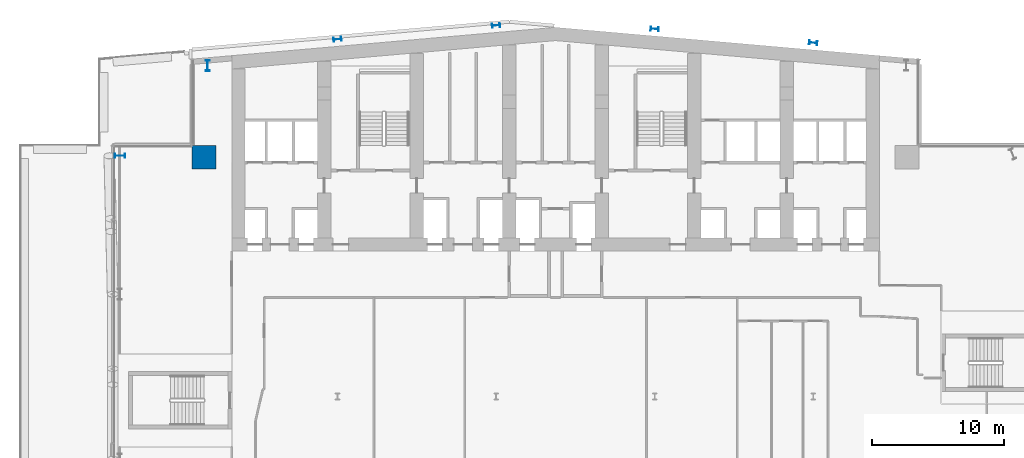
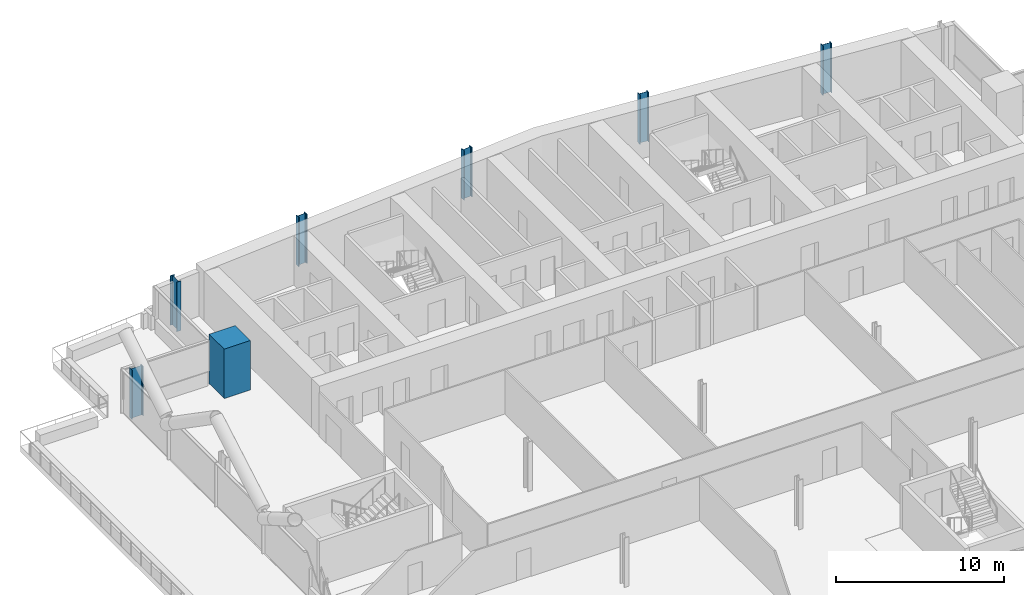
# One storey, part 2 of 26: 7 columns.
"""IFC4 building model written with IfcOpenShell, lengths in metres."""

from ifc_helpers import new_model, si_unit, direction, frame, origin, origin_2d, place, context, subcontext, project, spatial, rectangle, i_section, extrude, material, material_profile, profile_set, type_object, element, save


model = new_model("IFC4")

# Units and contexts
model_context = context("Model", 3, precision=1e-05, world=origin(), true_north=direction((0.0, 1.0)))
body_context = subcontext(model_context, "Body", "Model", "MODEL_VIEW")
ifc_project = project(units=[si_unit("LENGTHUNIT", "METRE"), si_unit("AREAUNIT", "SQUARE_METRE"), si_unit("VOLUMEUNIT", "CUBIC_METRE"), si_unit("PLANEANGLEUNIT", "RADIAN"), si_unit("MASSUNIT", "GRAM", prefix="KILO")], contexts=[model_context])

# Site, building, storey
site_placement = place(None, origin())
site = spatial("IfcSite", under=ifc_project, at=site_placement, CompositionType="ELEMENT")
building_placement = place(site_placement, origin())
building = spatial("IfcBuilding", under=site, at=building_placement, Name="Wharfspan Tower", CompositionType="ELEMENT")
storey_placement = place(building_placement, frame((0.0, 0.0, 96.699951)))
storey = spatial("IfcBuildingStorey", under=building, at=storey_placement, Name="L21", CompositionType="ELEMENT", Elevation=96.699951)

# Columns
ifc_material_1 = material(Name="Steel S355J2", Category="steel")
ifc_material_profile_1 = material_profile(ifc_material_1, i_section(OverallWidth=0.304932, OverallDepth=0.620117, WebThickness=0.020996, FlangeThickness=0.040039, FilletRadius=0.0271, at=origin_2d()))
ifc_profile_set_1 = profile_set([ifc_material_profile_1], Name="Steel S355J2")
column_type_1 = type_object("IfcColumnType", Name="Column HEM 600", PredefinedType="COLUMN", material=ifc_profile_set_1)
for number, where, z_axis, x_axis, name in (
    (1, (24.0, 50.027344, 0.0), (0.0, 0.0, 1.0), (-0.087156, 0.996198, 0.0), "Rear column R.1 L21"),
    (2, (36.0, 51.077148, 0.0), (0.0, 0.0, 1.0), (-0.087156, 0.996198, 0.0), "Rear column R.2 L21"),
    (3, (48.0, 50.814697, 0.0), (0.0, 0.0, 1.0), (0.087156, 0.996198, 0.0), "Rear column R.3 L21"),
    (4, (60.0, 49.764893, 0.0), (0.0, 0.0, 1.0), (0.087156, 0.996198, 0.0), "Rear column R.4 L21"),
):
    element("IfcColumn", number, at=place(storey_placement, frame(where, z_axis=z_axis, x_axis=x_axis)), inside=storey, type_object=column_type_1, Name=name, PredefinedType="COLUMN", context=body_context, shape_type="SweptSolid", body=[
        extrude(i_section(OverallWidth=0.304932, OverallDepth=0.620117, WebThickness=0.020996, FlangeThickness=0.040039, FilletRadius=0.0271, at=origin_2d()), origin(), (0.0, 0.0, 1.0), 3.600098),
    ])
ifc_material_profile_2 = material_profile(ifc_material_1, i_section(OverallWidth=0.302979, OverallDepth=0.813965, WebThickness=0.020996, FlangeThickness=0.040039, FilletRadius=0.030029, at=origin_2d()))
ifc_profile_set_2 = profile_set([ifc_material_profile_2], Name="Steel S355J2")
column_type_2 = type_object("IfcColumnType", Name="Column HEM 800", PredefinedType="COLUMN", material=ifc_profile_set_2)
for number, where, z_axis, x_axis, name in (
    (5, (14.171631, 48.03418, 0.0), (0.0, 0.0, 1.0), (-1.0, 0.0, 0.0), "Perimeter column PNRW-V.1 L21"),
    (6, (7.544434, 41.208008, 0.0), (0.0, 0.0, 1.0), (0.0, 1.0, 0.0), "Perimeter column PNRW-H.1 L21"),
):
    element("IfcColumn", number, at=place(storey_placement, frame(where, z_axis=z_axis, x_axis=x_axis)), inside=storey, type_object=column_type_2, Name=name, PredefinedType="COLUMN", context=body_context, shape_type="SweptSolid", body=[
        extrude(i_section(OverallWidth=0.302979, OverallDepth=0.813965, WebThickness=0.020996, FlangeThickness=0.040039, FilletRadius=0.030029, at=origin_2d()), origin(), (0.0, 0.0, 1.0), 3.600098),
    ])
ifc_material_2 = material(Name="Concrete C70/85", Category="concrete")
ifc_material_profile_3 = material_profile(ifc_material_2, rectangle(XDim=1.800049, YDim=1.800049, at=origin_2d()))
ifc_profile_set_3 = profile_set([ifc_material_profile_3], Name="Concrete C70/85")
column_type_3 = type_object("IfcColumnType", Name="Mega column 1800 C70/85", PredefinedType="COLUMN", material=ifc_profile_set_3)
column_placement = place(storey_placement, frame((13.899902, 41.100098, 0.0), z_axis=(0.0, 0.0, 1.0), x_axis=(1.0, 0.0, 0.0)))
element("IfcColumn", 7, at=column_placement, inside=storey, type_object=column_type_3, Name="Mega column MC2 L21", PredefinedType="COLUMN", context=body_context, shape_type="SweptSolid", body=[
    extrude(rectangle(XDim=1.800049, YDim=1.800049, at=origin_2d()), origin(), (0.0, 0.0, 1.0), 3.600098),
])

save(model, "model.ifc")
